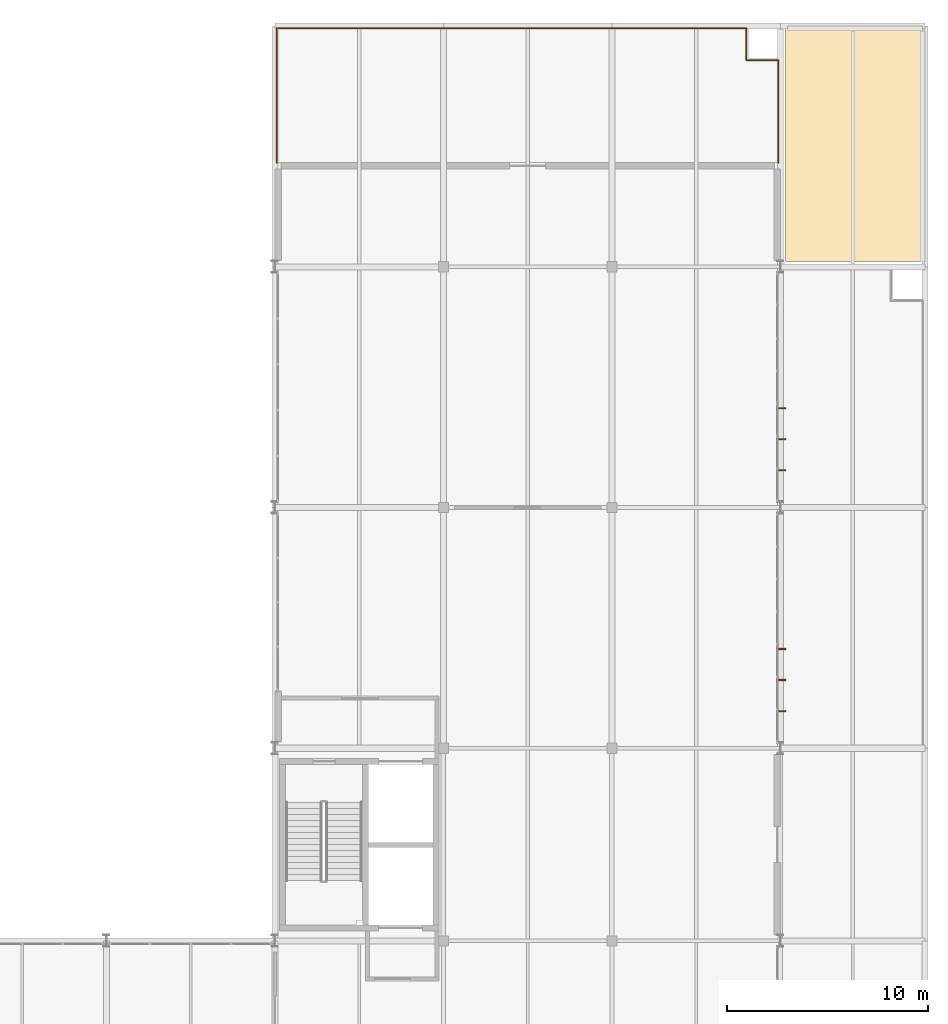
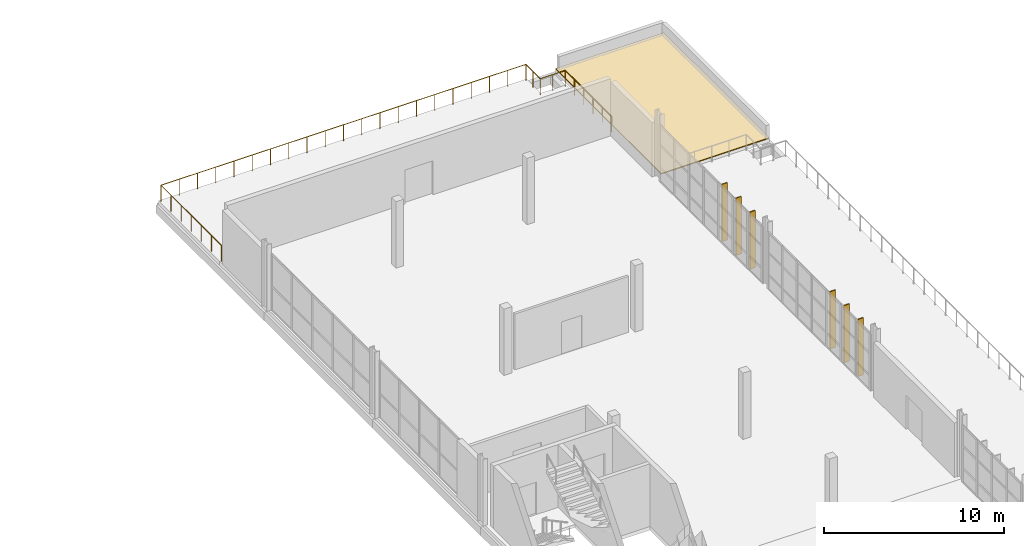
# One storey, part 109 of 109: 6 shading devices, 1 covering, 1 railing.
"""IFC4 building model written with IfcOpenShell, lengths in metres."""

import ifcopenshell
import ifcopenshell.guid

model = None  # the IFC model being written
_history = None  # IfcOwnerHistory: only IFC2X3 demands one
_inside = {}  # id of a spatial element -> (the spatial element, [elements in it])
_under = {}  # id of a project, library or spatial element -> (it, [spatial elements below it])
_declared = {}  # id of a project -> (the project, [libraries it declares])
_typed = {}  # id of a type object -> (the type object, [elements of that type])
_made_of = {}  # id of a material, layer set ... -> (it, [elements and type objects made of it])


def new_model(schema):
    """Start an empty IFC model of exactly this schema.

    Asked for "IFC4X3", IfcOpenShell would pick the latest addendum, in which some entities
    have other attributes; the version numbers below select the first issue.
    IFC2X3 requires an IfcOwnerHistory on every rooted entity: one is made here for all.
    """
    global model, _history
    if schema == "IFC4X3":
        model = ifcopenshell.file(schema_version=(4, 3, 0, 0))
    else:
        model = ifcopenshell.file(schema=schema)
    _inside.clear()
    _under.clear()
    _declared.clear()
    _typed.clear()
    _made_of.clear()
    _history = None
    if model.schema == "IFC2X3":
        org = make("IfcOrganization", Name="unknown")
        user = make(
            "IfcPersonAndOrganization",
            ThePerson=make("IfcPerson", FamilyName="unknown"),
            TheOrganization=org,
        )
        app = make(
            "IfcApplication",
            ApplicationDeveloper=org,
            Version="unknown",
            ApplicationFullName="unknown",
            ApplicationIdentifier="unknown",
        )
        _history = make(
            "IfcOwnerHistory",
            OwningUser=user,
            OwningApplication=app,
            ChangeAction="ADDED",
            CreationDate=0,
        )
    return model


def make(cls, **values):
    """One entity of the class cls with the attributes given. An attribute that is None is left unset."""
    return model.create_entity(
        cls, **{name: value for name, value in values.items() if value is not None}
    )


def rooted(cls, **values):
    """An entity with a GlobalId (a new one), such as an element, a storey or a relation."""
    return make(cls, GlobalId=ifcopenshell.guid.new(), OwnerHistory=_history, **values)


def si_unit(unit_type, name, prefix=None):
    """IfcSIUnit, for example si_unit("LENGTHUNIT", "METRE", prefix="MILLI")."""
    return make("IfcSIUnit", UnitType=unit_type, Prefix=prefix, Name=name)


def assignment(units):
    """IfcUnitAssignment: the units of a project."""
    return None if units is None else make("IfcUnitAssignment", Units=units)


def point(xyz):
    """IfcCartesianPoint."""
    return None if xyz is None else make("IfcCartesianPoint", Coordinates=xyz)


def direction(xyz):
    """IfcDirection."""
    return None if xyz is None else make("IfcDirection", DirectionRatios=xyz)


def frame(location, z_axis=None, x_axis=None):
    """IfcAxis2Placement3D, a coordinate frame: its origin and axes. An axis left out is left unset."""
    return make(
        "IfcAxis2Placement3D",
        Location=point(location),
        Axis=direction(z_axis),
        RefDirection=direction(x_axis),
    )


def frame_2d(location, x_axis=None):
    """IfcAxis2Placement2D, a coordinate frame in the plane: its origin and x axis."""
    return make(
        "IfcAxis2Placement2D", Location=point(location), RefDirection=direction(x_axis)
    )


def origin():
    """The frame at (0, 0, 0) with its axes left unset."""
    return frame((0.0, 0.0, 0.0))


def origin_2d():
    """The frame at (0, 0) in the plane with its x axis left unset."""
    return frame_2d((0.0, 0.0))


def place(relative_to, where):
    """IfcLocalPlacement: puts the frame where relative to a parent placement (None: the world)."""
    return make(
        "IfcLocalPlacement", PlacementRelTo=relative_to, RelativePlacement=where
    )


def context(
    kind, dimensions, precision=None, world=None, true_north=None, identifier=None
):
    """IfcGeometricRepresentationContext, for example the 3D "Model" context."""
    return make(
        "IfcGeometricRepresentationContext",
        ContextIdentifier=identifier,
        ContextType=kind,
        CoordinateSpaceDimension=dimensions,
        Precision=precision,
        WorldCoordinateSystem=world,
        TrueNorth=true_north,
    )


def subcontext(parent, identifier, kind, view, scale=None):
    """IfcGeometricRepresentationSubContext, for example "Body" below "Model"."""
    return make(
        "IfcGeometricRepresentationSubContext",
        ContextIdentifier=identifier,
        ContextType=kind,
        ParentContext=parent,
        TargetScale=scale,
        TargetView=view,
    )


def project(units=None, contexts=None):
    """IfcProject with its units and contexts."""
    return rooted(
        "IfcProject",
        Name="project",
        RepresentationContexts=contexts,
        UnitsInContext=assignment(units),
    )


def spatial(cls, under=None, at=None, **own):
    """A site, building, storey or space (cls), placed at a placement, below another one or the project."""
    s = rooted(cls, ObjectPlacement=at, **own)
    if under is not None:
        _under.setdefault(under.id(), (under, []))[1].append(s)
    return s


def polyline(points):
    """IfcPolyline through the points."""
    return make("IfcPolyline", Points=[point(p) for p in points])


def profile(cls, at=None, kind="AREA", **sizes):
    """A parametric profile (cls). Its sizes go by their IFC names, for example OverallWidth=200.0."""
    return make(cls, ProfileType=kind, Position=at, **sizes)


def rectangle(**sizes):
    """IfcRectangleProfileDef."""
    return profile("IfcRectangleProfileDef", **sizes)


def circle(**sizes):
    """IfcCircleProfileDef."""
    return profile("IfcCircleProfileDef", **sizes)


def outline(outer, holes=None, kind="AREA"):
    """IfcArbitraryClosedProfileDef: a profile drawn as a closed curve; with holes, ...WithVoids."""
    if holes is None:
        return make("IfcArbitraryClosedProfileDef", ProfileType=kind, OuterCurve=outer)
    return make(
        "IfcArbitraryProfileDefWithVoids",
        ProfileType=kind,
        OuterCurve=outer,
        InnerCurves=holes,
    )


def extrude(swept, where, along, depth):
    """IfcExtrudedAreaSolid: the profile swept, set in the frame where, extruded along a direction by depth."""
    return make(
        "IfcExtrudedAreaSolid",
        SweptArea=swept,
        Position=where,
        ExtrudedDirection=direction(along),
        Depth=depth,
    )


def shape(context_of_items, identifier, shape_type, items):
    """IfcShapeRepresentation: the items that make up one representation, for example the "Body"."""
    return make(
        "IfcShapeRepresentation",
        ContextOfItems=context_of_items,
        RepresentationIdentifier=identifier,
        RepresentationType=shape_type,
        Items=items,
    )


def material(Name=None, Category=None):
    """IfcMaterial."""
    return make("IfcMaterial", Name=Name, Category=Category)


def layer(
    of_material, thickness, ventilated=None, Name=None, Category=None, Priority=None
):
    """IfcMaterialLayer: one layer of a wall or slab, of a material (None: an air gap)."""
    return make(
        "IfcMaterialLayer",
        Material=of_material,
        LayerThickness=thickness,
        IsVentilated=ventilated,
        Name=Name,
        Category=Category,
        Priority=Priority,
    )


def layer_set(layers, Name=None):
    """IfcMaterialLayerSet."""
    return make("IfcMaterialLayerSet", MaterialLayers=layers, LayerSetName=Name)


def made_of(thing, what):
    """Note that an element or type object is made of a material, layer set ...; save() writes the relation."""
    if what is not None:
        _made_of.setdefault(what.id(), (what, []))[1].append(thing)
    return thing


def type_object(cls, material=None, **own):
    """A type object (cls), such as IfcWallType, which elements share."""
    return made_of(rooted(cls, **own), material)


def element(
    cls,
    number,
    at=None,
    inside=None,
    cuts=None,
    type_object=None,
    material=None,
    context=None,
    identifier="Body",
    shape_type=None,
    held_by="IfcProductDefinitionShape",
    body=None,
    shapes=None,
    **own,
):
    """One element of the class cls, such as IfcWall. Its Tag is "e" and its number.

    at: its placement. inside: the storey or other place that contains it. cuts: it is an
    opening in that element (IfcRelVoidsElement). A single representation is given by context,
    identifier, shape_type and body (its items); several are given by shapes. held_by: the class
    of the entity that holds the representations. save() writes the other relations.
    """
    e = rooted(cls, Tag="e%d" % number, ObjectPlacement=at, **own)
    if body is not None:
        shapes = [shape(context, identifier, shape_type, body)]
    if shapes is not None:
        e.Representation = make(held_by, Representations=shapes)
    if inside is not None:
        _inside.setdefault(inside.id(), (inside, []))[1].append(e)
    if cuts is not None:
        rooted(
            "IfcRelVoidsElement", RelatingBuildingElement=cuts, RelatedOpeningElement=e
        )
    if type_object is not None:
        _typed.setdefault(type_object.id(), (type_object, []))[1].append(e)
    return made_of(e, material)


def aggregate(whole, parts):
    """IfcRelAggregates: a whole, such as a stair, and the parts it consists of."""
    return rooted("IfcRelAggregates", RelatingObject=whole, RelatedObjects=parts)


def save(model, path):
    """Write the relations noted so far, then the file.

    IfcRelAggregates (storeys below a building ...), IfcRelContainedInSpatialStructure (elements
    in a storey), IfcRelDefinesByType, IfcRelAssociatesMaterial and IfcRelDeclares: one each for
    every whole, place, type object, material and project.
    """
    for whole, parts in _under.values():
        aggregate(whole, parts)
    for where, things in _inside.values():
        rooted(
            "IfcRelContainedInSpatialStructure",
            RelatedElements=things,
            RelatingStructure=where,
        )
    for kind, things in _typed.values():
        rooted("IfcRelDefinesByType", RelatedObjects=things, RelatingType=kind)
    for what, things in _made_of.values():
        rooted("IfcRelAssociatesMaterial", RelatedObjects=things, RelatingMaterial=what)
    for by, libraries in _declared.values():
        rooted("IfcRelDeclares", RelatingContext=by, RelatedDefinitions=libraries)
    model.write(path)


model = new_model("IFC4")

# Units and contexts
model_context = context("Model", 3, precision=1e-05, world=origin(), true_north=direction((0.0, 1.0)))
body_context = subcontext(model_context, "Body", "Model", "MODEL_VIEW")
ifc_project = project(units=[si_unit("LENGTHUNIT", "METRE"), si_unit("AREAUNIT", "SQUARE_METRE"), si_unit("VOLUMEUNIT", "CUBIC_METRE"), si_unit("PLANEANGLEUNIT", "RADIAN"), si_unit("MASSUNIT", "GRAM", prefix="KILO")], contexts=[model_context])

# Site, building, storey
site_placement = place(None, origin())
site = spatial("IfcSite", under=ifc_project, at=site_placement, CompositionType="ELEMENT")
building_placement = place(site_placement, origin())
building = spatial("IfcBuilding", under=site, at=building_placement, Name="Veltarok Museum of Natural Sciences", CompositionType="ELEMENT")
storey_placement = place(building_placement, frame((0.0, 0.0, 17.39990234375)))
storey = spatial("IfcBuildingStorey", under=building, at=storey_placement, Name="L03", CompositionType="ELEMENT", Elevation=17.39990234375)

# Covering
ifc_material_1 = material(Name="EPDM waterproofing membrane")
ifc_layer = layer(ifc_material_1, 0.06005859375)
ifc_layer_set = layer_set([ifc_layer], Name="EPDM waterproofing membrane")
covering_type = type_object("IfcCoveringType", Name="EPDM Waterproofing and Acoustic Roof Membrane 60", PredefinedType="ROOFING", material=ifc_layer_set)
covering_placement = place(storey_placement, origin())
element("IfcCovering", 1, at=covering_placement, inside=storey, type_object=covering_type, Name="Roof Waterproofing RF-V5NE", PredefinedType="ROOFING", context=body_context, shape_type="SweptSolid", body=[
    extrude(outline(polyline([(157.85009765625, 60.25), (157.85009765625, 72.0), (164.800048828125, 72.0), (164.800048828125, 60.25), (157.85009765625, 60.25)])), origin(), (0.0, 0.0, 1.0), 0.06005859375),
])

# Railing
ifc_material_2 = material(Name="Steel S355J2", Category="steel")
railing_type = type_object("IfcRailingType", Name="Outdoor Terrace Steel and Laminated Glass Guardrail 1100", PredefinedType="GUARDRAIL", material=ifc_material_2)
railing_placement = place(storey_placement, frame((132.5, 65.179931640625, 0.0)))
element("IfcRailing", 2, at=railing_placement, inside=storey, type_object=railing_type, Name="Terrace Guardrail TER-L03-E1", PredefinedType="GUARDRAIL", context=body_context, shape_type="SweptSolid", body=[
    extrude(circle(Radius=0.02490234375, at=origin_2d()), frame((0.0, 0.0, 1.0751953125), z_axis=(0.0, 1.0, 0.0), x_axis=(-1.0, 0.0, 0.0)), (0.0, 0.0, 1.0), 6.719970703125),
    extrude(circle(Radius=0.02490234375, at=origin_2d()), frame((0.0, 6.719970703125, 1.0751953125), z_axis=(1.0, 0.0, 0.0), x_axis=(0.0, 1.0, 0.0)), (0.0, 0.0, 1.0), 23.39990234375),
    extrude(circle(Radius=0.02490234375, at=origin_2d()), frame((23.39990234375, 6.719970703125, 1.0751953125), z_axis=(0.0, -1.0, 0.0), x_axis=(1.0, 0.0, 0.0)), (0.0, 0.0, 1.0), 1.599853515625),
    extrude(circle(Radius=0.02490234375, at=origin_2d()), frame((23.39990234375, 5.1201171875, 1.0751953125), z_axis=(1.0, 0.0, 0.0), x_axis=(0.0, 1.0, 0.0)), (0.0, 0.0, 1.0), 1.60009765625),
    extrude(circle(Radius=0.02490234375, at=origin_2d()), frame((25.0, 5.1201171875, 1.0751953125), z_axis=(0.0, -1.0, 0.0), x_axis=(1.0, 0.0, 0.0)), (0.0, 0.0, 1.0), 5.1201171875),
    extrude(circle(Radius=0.02099609375, at=origin_2d()), origin(), (0.0, 0.0, 1.0), 1.050048828125),
    extrude(circle(Radius=0.02099609375, at=origin_2d()), frame((0.0, 1.1201171875, 0.0)), (0.0, 0.0, 1.0), 1.050048828125),
    extrude(circle(Radius=0.02099609375, at=origin_2d()), frame((0.0, 2.239990234375, 0.0)), (0.0, 0.0, 1.0), 1.050048828125),
    extrude(circle(Radius=0.02099609375, at=origin_2d()), frame((0.0, 3.35986328125, 0.0)), (0.0, 0.0, 1.0), 1.050048828125),
    extrude(circle(Radius=0.02099609375, at=origin_2d()), frame((0.0, 4.47998046875, 0.0)), (0.0, 0.0, 1.0), 1.050048828125),
    extrude(circle(Radius=0.02099609375, at=origin_2d()), frame((0.0, 5.60009765625, 0.0)), (0.0, 0.0, 1.0), 1.050048828125),
    extrude(circle(Radius=0.02099609375, at=origin_2d()), frame((0.0, 6.719970703125, 0.0)), (0.0, 0.0, 1.0), 1.050048828125),
    extrude(circle(Radius=0.02099609375, at=origin_2d()), frame((1.169921875, 6.719970703125, 0.0)), (0.0, 0.0, 1.0), 1.050048828125),
    extrude(circle(Radius=0.02099609375, at=origin_2d()), frame((2.340087890625, 6.719970703125, 0.0)), (0.0, 0.0, 1.0), 1.050048828125),
    extrude(circle(Radius=0.02099609375, at=origin_2d()), frame((3.510009765625, 6.719970703125, 0.0)), (0.0, 0.0, 1.0), 1.050048828125),
    extrude(circle(Radius=0.02099609375, at=origin_2d()), frame((4.679931640625, 6.719970703125, 0.0)), (0.0, 0.0, 1.0), 1.050048828125),
    extrude(circle(Radius=0.02099609375, at=origin_2d()), frame((5.85009765625, 6.719970703125, 0.0)), (0.0, 0.0, 1.0), 1.050048828125),
    extrude(circle(Radius=0.02099609375, at=origin_2d()), frame((7.02001953125, 6.719970703125, 0.0)), (0.0, 0.0, 1.0), 1.050048828125),
    extrude(circle(Radius=0.02099609375, at=origin_2d()), frame((8.18994140625, 6.719970703125, 0.0)), (0.0, 0.0, 1.0), 1.050048828125),
    extrude(circle(Radius=0.02099609375, at=origin_2d()), frame((9.35986328125, 6.719970703125, 0.0)), (0.0, 0.0, 1.0), 1.050048828125),
    extrude(circle(Radius=0.02099609375, at=origin_2d()), frame((10.530029296875, 6.719970703125, 0.0)), (0.0, 0.0, 1.0), 1.050048828125),
    extrude(circle(Radius=0.02099609375, at=origin_2d()), frame((11.699951171875, 6.719970703125, 0.0)), (0.0, 0.0, 1.0), 1.050048828125),
    extrude(circle(Radius=0.02099609375, at=origin_2d()), frame((12.869873046875, 6.719970703125, 0.0)), (0.0, 0.0, 1.0), 1.050048828125),
    extrude(circle(Radius=0.02099609375, at=origin_2d()), frame((14.0400390625, 6.719970703125, 0.0)), (0.0, 0.0, 1.0), 1.050048828125),
    extrude(circle(Radius=0.02099609375, at=origin_2d()), frame((15.2099609375, 6.719970703125, 0.0)), (0.0, 0.0, 1.0), 1.050048828125),
    extrude(circle(Radius=0.02099609375, at=origin_2d()), frame((16.3798828125, 6.719970703125, 0.0)), (0.0, 0.0, 1.0), 1.050048828125),
    extrude(circle(Radius=0.02099609375, at=origin_2d()), frame((17.5498046875, 6.719970703125, 0.0)), (0.0, 0.0, 1.0), 1.050048828125),
    extrude(circle(Radius=0.02099609375, at=origin_2d()), frame((18.719970703125, 6.719970703125, 0.0)), (0.0, 0.0, 1.0), 1.050048828125),
    extrude(circle(Radius=0.02099609375, at=origin_2d()), frame((19.889892578125, 6.719970703125, 0.0)), (0.0, 0.0, 1.0), 1.050048828125),
    extrude(circle(Radius=0.02099609375, at=origin_2d()), frame((21.059814453125, 6.719970703125, 0.0)), (0.0, 0.0, 1.0), 1.050048828125),
    extrude(circle(Radius=0.02099609375, at=origin_2d()), frame((22.22998046875, 6.719970703125, 0.0)), (0.0, 0.0, 1.0), 1.050048828125),
    extrude(circle(Radius=0.02099609375, at=origin_2d()), frame((23.39990234375, 6.719970703125, 0.0)), (0.0, 0.0, 1.0), 1.050048828125),
    extrude(circle(Radius=0.02099609375, at=origin_2d()), frame((23.39990234375, 5.919921875, 0.0)), (0.0, 0.0, 1.0), 1.050048828125),
    extrude(circle(Radius=0.02099609375, at=origin_2d()), frame((23.39990234375, 5.1201171875, 0.0)), (0.0, 0.0, 1.0), 1.050048828125),
    extrude(circle(Radius=0.02099609375, at=origin_2d()), frame((24.199951171875, 5.1201171875, 0.0)), (0.0, 0.0, 1.0), 1.050048828125),
    extrude(circle(Radius=0.02099609375, at=origin_2d()), frame((25.0, 5.1201171875, 0.0)), (0.0, 0.0, 1.0), 1.050048828125),
    extrude(circle(Radius=0.02099609375, at=origin_2d()), frame((25.0, 4.09619140625, 0.0)), (0.0, 0.0, 1.0), 1.050048828125),
    extrude(circle(Radius=0.02099609375, at=origin_2d()), frame((25.0, 3.072021484375, 0.0)), (0.0, 0.0, 1.0), 1.050048828125),
    extrude(circle(Radius=0.02099609375, at=origin_2d()), frame((25.0, 2.048095703125, 0.0)), (0.0, 0.0, 1.0), 1.050048828125),
    extrude(circle(Radius=0.02099609375, at=origin_2d()), frame((25.0, 1.02392578125, 0.0)), (0.0, 0.0, 1.0), 1.050048828125),
    extrude(circle(Radius=0.02099609375, at=origin_2d()), frame((25.0, 0.0, 0.0)), (0.0, 0.0, 1.0), 1.050048828125),
])

# Shading devices
ifc_material_3 = material(Name="Thermally broken anodised aluminium", Category="aluminium")
shading_device_type = type_object("IfcShadingDeviceType", Name="Vertical Anodised Aluminium Solar Shading Fin 350", PredefinedType="JALOUSIE", material=ifc_material_3)
for number, where, z_axis, x_axis, name in (
    (3, (157.68994140625, 37.85009765625, 0.000244140625), (0.0, 0.0, 1.0), (1.0, 0.0, 0.0), "Solar Shading Fin L03 61"),
    (4, (157.68994140625, 39.39990234375, 0.000244140625), (0.0, 0.0, 1.0), (1.0, 0.0, 0.0), "Solar Shading Fin L03 62"),
    (5, (157.68994140625, 40.949951171875, 0.000244140625), (0.0, 0.0, 1.0), (1.0, 0.0, 0.0), "Solar Shading Fin L03 63"),
    (6, (157.68994140625, 49.85009765625, 0.000244140625), (0.0, 0.0, 1.0), (1.0, 0.0, 0.0), "Solar Shading Fin L03 64"),
    (7, (157.68994140625, 51.39990234375, 0.000244140625), (0.0, 0.0, 1.0), (1.0, 0.0, 0.0), "Solar Shading Fin L03 65"),
    (8, (157.68994140625, 52.949951171875, 0.000244140625), (0.0, 0.0, 1.0), (1.0, 0.0, 0.0), "Solar Shading Fin L03 66"),
):
    element("IfcShadingDevice", number, at=place(storey_placement, frame(where, z_axis=z_axis, x_axis=x_axis)), inside=storey, type_object=shading_device_type, Name=name, PredefinedType="JALOUSIE", context=body_context, shape_type="SweptSolid", body=[
        extrude(rectangle(XDim=0.35009765625, YDim=0.06005859375, at=origin_2d()), origin(), (0.0, 0.0, 1.0), 3.8798828125),
    ])

save(model, "model.ifc")
